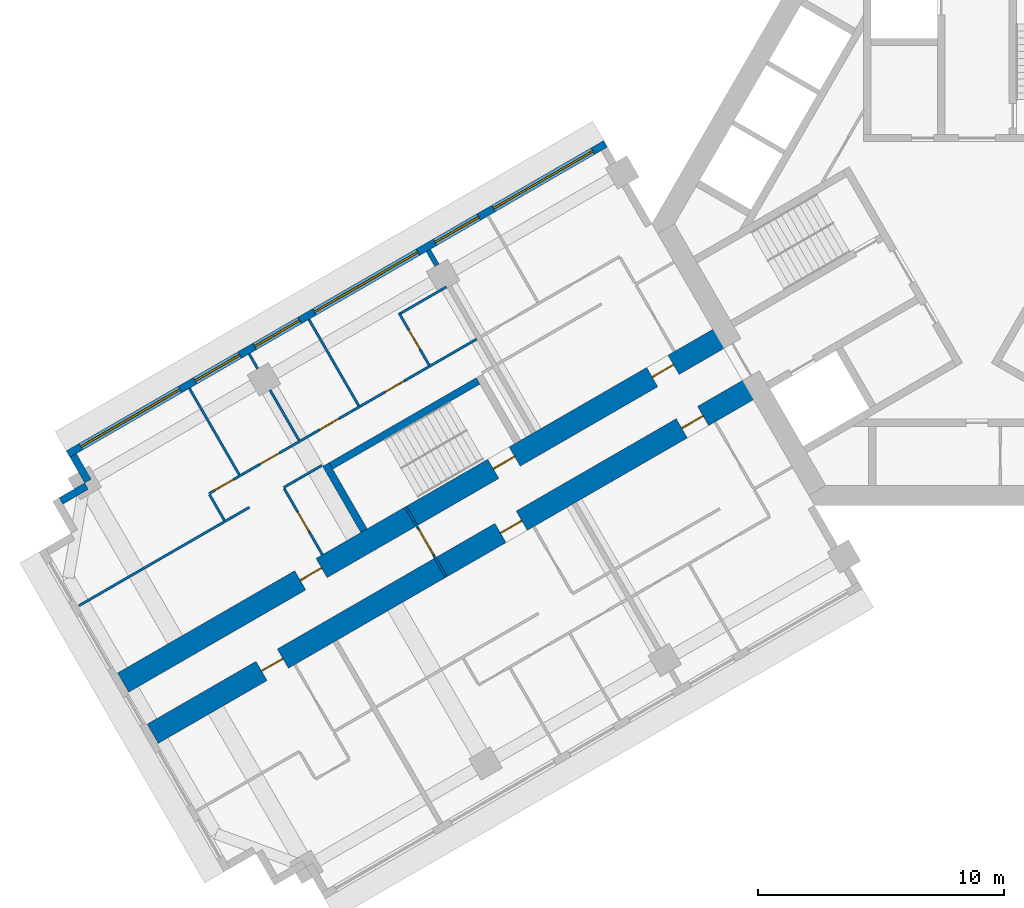
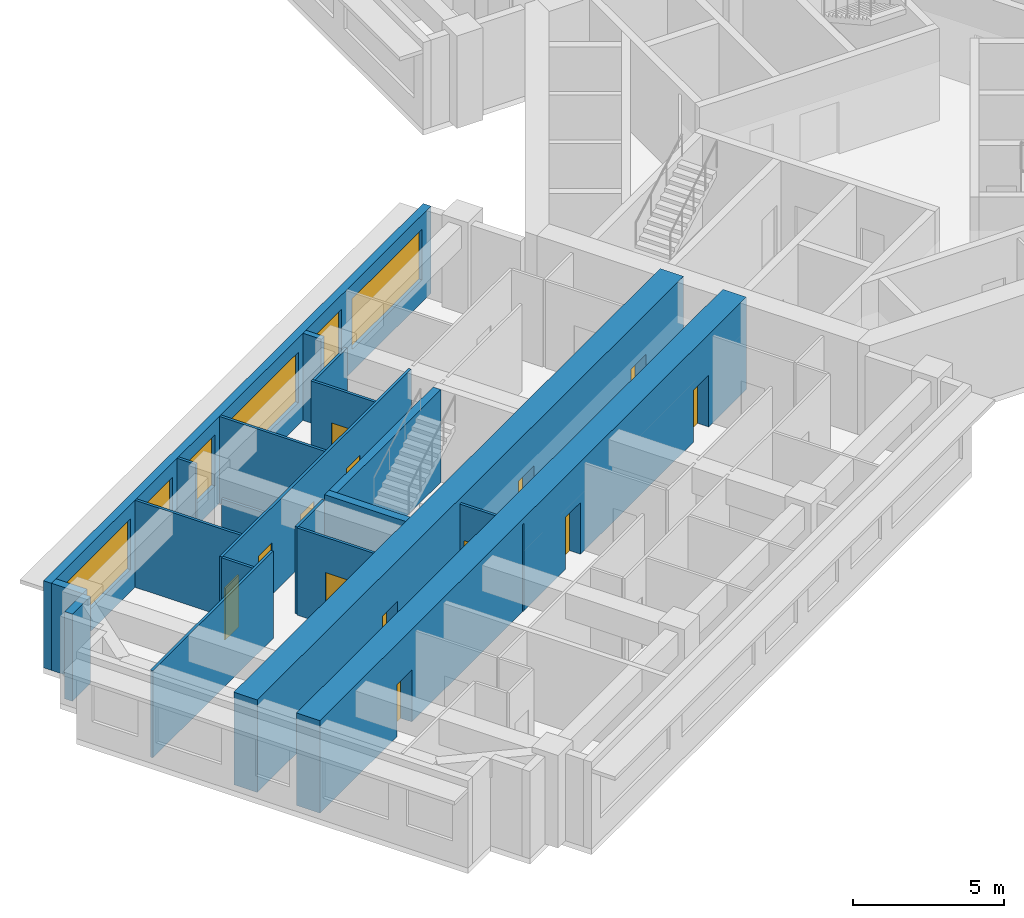
# One storey, part 3 of 14: 20 walls, 13 doors, 6 windows, 19 openings.
"""IFC4 building model written with IfcOpenShell, lengths in metres."""

from ifc_helpers import new_model, si_unit, direction, frame, frame_2d, origin, place, context, subcontext, project, spatial, rectangle, extrude, material, layer, layer_set, type_object, element, fill, save


model = new_model("IFC4")

# Units and contexts
model_context = context("Model", 3, precision=1e-05, world=origin(), true_north=direction((0.0, 1.0)))
body_context = subcontext(model_context, "Body", "Model", "MODEL_VIEW")
ifc_project = project(units=[si_unit("LENGTHUNIT", "METRE"), si_unit("AREAUNIT", "SQUARE_METRE"), si_unit("VOLUMEUNIT", "CUBIC_METRE"), si_unit("PLANEANGLEUNIT", "RADIAN"), si_unit("MASSUNIT", "GRAM", prefix="KILO")], contexts=[model_context])

# Site, building, storey
site_placement = place(None, origin())
site = spatial("IfcSite", under=ifc_project, at=site_placement, CompositionType="ELEMENT")
building_placement = place(site_placement, origin())
building = spatial("IfcBuilding", under=site, at=building_placement, Name="Impinga Residences", CompositionType="ELEMENT")
storey_placement = place(building_placement, frame((0.0, 0.0, 143.5)))
storey = spatial("IfcBuildingStorey", under=building, at=storey_placement, Name="L35", CompositionType="ELEMENT", Elevation=143.5)

# Wall, openings, doors
ifc_material_1 = material(Name="Concrete C60/75", Category="concrete")
ifc_layer_1 = layer(ifc_material_1, 0.89990234375)
ifc_layer_set_1 = layer_set([ifc_layer_1], Name="Concrete C60/75")
wall_type_1 = type_object("IfcWallType", Name="BW2 corridor buttress wall, L24 to L44 900", PredefinedType="SHEAR", material=ifc_layer_set_1)
wall_1_placement = place(storey_placement, frame((-8.95361328125, -6.554931640625, 0.0), z_axis=(0.0, 0.0, 1.0), x_axis=(-0.866023392092, -0.500003484338, 0.0)))
wall_1 = element("IfcWall", 1, at=wall_1_placement, inside=storey, type_object=wall_type_1, Name="Corridor wall BW2 WC L35", PredefinedType="SHEAR", context=body_context, shape_type="SweptSolid", body=[
    extrude(rectangle(XDim=28.300048828125, YDim=0.89990234375, at=frame_2d((14.14990234375, 0.0))), origin(), (0.0, 0.0, 1.0), 3.75),
])
opening_1_placement = place(wall_1_placement, frame((2.5, 0.0, 0.0)))
opening_1 = element("IfcOpeningElement", 2, at=opening_1_placement, cuts=wall_1, Name="Opening D1", PredefinedType="OPENING", context=body_context, shape_type="SweptSolid", body=[
    extrude(rectangle(XDim=1.0, YDim=2.10009765625, at=frame_2d((0.5, 1.050048828125))), frame((0.0, 0.4599609375, 0.0), z_axis=(0.0, -1.0, 0.0), x_axis=(1.0, 0.0, 0.0)), (0.0, 0.0, 1.0), 0.919921875),
])
opening_2_placement = place(wall_1_placement, frame((11.0, 0.0, 0.0)))
opening_2 = element("IfcOpeningElement", 3, at=opening_2_placement, cuts=wall_1, Name="Opening D1", PredefinedType="OPENING", context=body_context, shape_type="SweptSolid", body=[
    extrude(rectangle(XDim=1.0, YDim=2.10009765625, at=frame_2d((0.5, 1.050048828125))), frame((0.0, 0.4599609375, 0.0), z_axis=(0.0, -1.0, 0.0), x_axis=(1.0, 0.0, 0.0)), (0.0, 0.0, 1.0), 0.919921875),
])
opening_3_placement = place(wall_1_placement, frame((22.199951171875, 0.0, 0.0)))
opening_3 = element("IfcOpeningElement", 4, at=opening_3_placement, cuts=wall_1, Name="Opening D1", PredefinedType="OPENING", context=body_context, shape_type="SweptSolid", body=[
    extrude(rectangle(XDim=1.0, YDim=2.10009765625, at=frame_2d((0.5, 1.050048828125))), frame((0.0, 0.4599609375, 0.0), z_axis=(0.0, -1.0, 0.0), x_axis=(1.0, 0.0, 0.0)), (0.0, 0.0, 1.0), 0.919921875),
])
ifc_material_2 = material(Name="Timber door set", Category="wood")
door_type_1 = type_object("IfcDoorType", Name="D1 apartment entrance door 1000x2100", OperationType="SINGLE_SWING_LEFT", PredefinedType="DOOR", material=ifc_material_2)
door_1_placement = place(opening_1_placement, origin())
door_1 = element("IfcDoor", 5, at=door_1_placement, inside=storey, type_object=door_type_1, Name="Apartment L35-WA1 entrance", OperationType="SINGLE_SWING_LEFT", OverallHeight=2.10009765625, OverallWidth=1.0, PredefinedType="DOOR", context=body_context, shape_type="SweptSolid", body=[
    extrude(rectangle(XDim=1.0, YDim=2.10009765625, at=frame_2d((0.5, 1.050048828125))), frame((0.0, 0.02490234375, 0.0), z_axis=(0.0, -1.0, 0.0), x_axis=(1.0, 0.0, 0.0)), (0.0, 0.0, 1.0), 0.050048828125),
])
fill(opening_1, door_1)
door_2_placement = place(opening_2_placement, origin())
door_2 = element("IfcDoor", 6, at=door_2_placement, inside=storey, type_object=door_type_1, Name="Apartment L35-WA2 entrance", OperationType="SINGLE_SWING_LEFT", OverallHeight=2.10009765625, OverallWidth=1.0, PredefinedType="DOOR", context=body_context, shape_type="SweptSolid", body=[
    extrude(rectangle(XDim=1.0, YDim=2.10009765625, at=frame_2d((0.5, 1.050048828125))), frame((0.0, 0.02490234375, 0.0), z_axis=(0.0, -1.0, 0.0), x_axis=(1.0, 0.0, 0.0)), (0.0, 0.0, 1.0), 0.050048828125),
])
fill(opening_2, door_2)
door_3_placement = place(opening_3_placement, origin())
door_3 = element("IfcDoor", 7, at=door_3_placement, inside=storey, type_object=door_type_1, Name="Apartment L35-WA3 entrance", OperationType="SINGLE_SWING_RIGHT", OverallHeight=2.10009765625, OverallWidth=1.0, PredefinedType="DOOR", context=body_context, shape_type="SweptSolid", body=[
    extrude(rectangle(XDim=1.0, YDim=2.10009765625, at=frame_2d((0.5, 1.050048828125))), frame((0.0, 0.02490234375, 0.0), z_axis=(0.0, -1.0, 0.0), x_axis=(1.0, 0.0, 0.0)), (0.0, 0.0, 1.0), 0.050048828125),
])
fill(opening_3, door_3)

wall_2_placement = place(storey_placement, frame((-10.153564453125, -4.4765625, 0.0), z_axis=(0.0, 0.0, 1.0), x_axis=(-0.866027127636, -0.49999701419, 0.0)))
wall_2 = element("IfcWall", 8, at=wall_2_placement, inside=storey, type_object=wall_type_1, Name="Corridor wall BW2 WD L35", PredefinedType="SHEAR", context=body_context, shape_type="SweptSolid", body=[
    extrude(rectangle(XDim=28.300048828125, YDim=0.89990234375, at=frame_2d((14.14990234375, 0.0))), origin(), (0.0, 0.0, 1.0), 3.75),
])
opening_4_placement = place(wall_2_placement, frame((9.949951171875, 0.0, 0.0)))
opening_4 = element("IfcOpeningElement", 9, at=opening_4_placement, cuts=wall_2, Name="Opening D5", PredefinedType="OPENING", context=body_context, shape_type="SweptSolid", body=[
    extrude(rectangle(XDim=1.0, YDim=2.10009765625, at=frame_2d((0.5, 1.050048828125))), frame((0.0, 0.4599609375, 0.0), z_axis=(0.0, -1.0, 0.0), x_axis=(1.0, 0.0, 0.0)), (0.0, 0.0, 1.0), 0.919921875),
])
opening_5_placement = place(wall_2_placement, frame((2.5, 0.0, 0.0)))
opening_5 = element("IfcOpeningElement", 10, at=opening_5_placement, cuts=wall_2, Name="Opening D1", PredefinedType="OPENING", context=body_context, shape_type="SweptSolid", body=[
    extrude(rectangle(XDim=1.0, YDim=2.10009765625, at=frame_2d((0.5, 1.050048828125))), frame((0.0, 0.4599609375, 0.0), z_axis=(0.0, -1.0, 0.0), x_axis=(1.0, 0.0, 0.0)), (0.0, 0.0, 1.0), 0.919921875),
])
opening_6_placement = place(wall_2_placement, frame((19.0, 0.0, 0.0)))
opening_6 = element("IfcOpeningElement", 11, at=opening_6_placement, cuts=wall_2, Name="Opening D1", PredefinedType="OPENING", context=body_context, shape_type="SweptSolid", body=[
    extrude(rectangle(XDim=1.0, YDim=2.10009765625, at=frame_2d((0.5, 1.050048828125))), frame((0.0, 0.4599609375, 0.0), z_axis=(0.0, -1.0, 0.0), x_axis=(1.0, 0.0, 0.0)), (0.0, 0.0, 1.0), 0.919921875),
])
door_4_placement = place(opening_5_placement, origin())
door_4 = element("IfcDoor", 12, at=door_4_placement, inside=storey, type_object=door_type_1, Name="Apartment L35-WF1 entrance", OperationType="SINGLE_SWING_LEFT", OverallHeight=2.10009765625, OverallWidth=1.0, PredefinedType="DOOR", context=body_context, shape_type="SweptSolid", body=[
    extrude(rectangle(XDim=1.0, YDim=2.10009765625, at=frame_2d((0.5, 1.050048828125))), frame((0.0, 0.02490234375, 0.0), z_axis=(0.0, -1.0, 0.0), x_axis=(1.0, 0.0, 0.0)), (0.0, 0.0, 1.0), 0.050048828125),
])
fill(opening_5, door_4)
door_5_placement = place(opening_6_placement, origin())
door_5 = element("IfcDoor", 13, at=door_5_placement, inside=storey, type_object=door_type_1, Name="Apartment L35-WF2 entrance", OperationType="SINGLE_SWING_RIGHT", OverallHeight=2.10009765625, OverallWidth=1.0, PredefinedType="DOOR", context=body_context, shape_type="SweptSolid", body=[
    extrude(rectangle(XDim=1.0, YDim=2.10009765625, at=frame_2d((0.5, 1.050048828125))), frame((0.0, 0.02490234375, 0.0), z_axis=(0.0, -1.0, 0.0), x_axis=(1.0, 0.0, 0.0)), (0.0, 0.0, 1.0), 0.050048828125),
])
fill(opening_6, door_5)
door_type_2 = type_object("IfcDoorType", Name="D5 stair door 1000x2100", OperationType="SINGLE_SWING_LEFT", PredefinedType="DOOR", material=ifc_material_2)
door_6_placement = place(opening_4_placement, origin())
door_6 = element("IfcDoor", 14, at=door_6_placement, inside=storey, type_object=door_type_2, Name="Wing stair door W", OperationType="SINGLE_SWING_LEFT", OverallHeight=2.10009765625, OverallWidth=1.0, PredefinedType="DOOR", context=body_context, shape_type="SweptSolid", body=[
    extrude(rectangle(XDim=1.0, YDim=2.10009765625, at=frame_2d((0.5, 1.050048828125))), frame((0.0, 0.02490234375, 0.0), z_axis=(0.0, -1.0, 0.0), x_axis=(1.0, 0.0, 0.0)), (0.0, 0.0, 1.0), 0.050048828125),
])
fill(opening_4, door_6)

# Wall, opening, door
ifc_material_3 = material(Name="Concrete blockwork", Category="masonry")
ifc_layer_2 = layer(ifc_material_3, 0.10009765625)
ifc_layer_set_2 = layer_set([ifc_layer_2], Name="CP1 core room partition, blockwork 100")
wall_type_2 = type_object("IfcWallType", Name="CP1 core room partition, blockwork 100", PredefinedType="PARTITIONING", material=ifc_layer_set_2)
wall_3_placement = place(storey_placement, frame((-21.545654296875, -14.3447265625, 0.0), z_axis=(0.0, 0.0, 1.0), x_axis=(-0.50002983664, 0.866008176907, 0.0)))
wall_3 = element("IfcWall", 15, at=wall_3_placement, inside=storey, type_object=wall_type_2, Name="Core room partition, blockwork L35:W:PLB", PredefinedType="PARTITIONING", context=body_context, shape_type="SweptSolid", body=[
    extrude(rectangle(XDim=3.300048828125, YDim=0.10009765625, at=frame_2d((1.64990234375, 0.0))), origin(), (0.0, 0.0, 1.0), 3.530029296875),
])
opening_7_placement = place(wall_3_placement, frame((1.050048828125, 0.0, 0.0)))
opening_7 = element("IfcOpeningElement", 16, at=opening_7_placement, cuts=wall_3, Name="Opening D3", PredefinedType="OPENING", context=body_context, shape_type="SweptSolid", body=[
    extrude(rectangle(XDim=1.199951171875, YDim=2.10009765625, at=frame_2d((0.60009765625, 1.050048828125))), frame((0.0, 0.06005859375, 0.0), z_axis=(0.0, -1.0, 0.0), x_axis=(1.0, 0.0, 0.0)), (0.0, 0.0, 1.0), 0.1201171875),
])
door_type_3 = type_object("IfcDoorType", Name="D3 room door, leaf and a half 1200x2100", OperationType="DOUBLE_SWING_LEFT", PredefinedType="DOOR", material=ifc_material_2)
door_7_placement = place(opening_7_placement, origin())
door_7 = element("IfcDoor", 17, at=door_7_placement, inside=storey, type_object=door_type_3, Name="Private lobby door W", OperationType="DOUBLE_SWING_LEFT", OverallHeight=2.10009765625, OverallWidth=1.199951171875, PredefinedType="DOOR", context=body_context, shape_type="SweptSolid", body=[
    extrude(rectangle(XDim=1.199951171875, YDim=2.10009765625, at=frame_2d((0.60009765625, 1.050048828125))), frame((0.0, 0.02490234375, 0.0), z_axis=(0.0, -1.0, 0.0), x_axis=(1.0, 0.0, 0.0)), (0.0, 0.0, 1.0), 0.050048828125),
])
fill(opening_7, door_7)

# Walls
ifc_material_4 = material(Name="Terracotta rainscreen on blockwork", Category="masonry")
ifc_layer_3 = layer(ifc_material_4, 0.300048828125)
ifc_layer_set_3 = layer_set([ifc_layer_3], Name="EW1 external wall, terracotta rainscreen on blockwork 300")
wall_type_3 = type_object("IfcWallType", Name="EW1 external wall, terracotta rainscreen on blockwork 300", PredefinedType="SOLIDWALL", material=ifc_layer_set_3)
wall_4_placement = place(storey_placement, frame((-37.18798828125, -11.25146484375, 0.0), z_axis=(0.0, 0.0, 1.0), x_axis=(0.866059708757, 0.499940577336, 0.0)))
element("IfcWall", 18, at=wall_4_placement, inside=storey, type_object=wall_type_3, Name="External wall EW1 L35", PredefinedType="SOLIDWALL", context=body_context, shape_type="SweptSolid", body=[
    extrude(rectangle(XDim=1.195068359375, YDim=0.300048828125, at=frame_2d((0.59765625, 0.0))), origin(), (0.0, 0.0, 1.0), 3.530029296875),
])
wall_5_placement = place(storey_placement, frame((-36.093994140625, -10.446533203125, 0.0), z_axis=(0.0, 0.0, 1.0), x_axis=(-0.499880961361, 0.866094119867, 0.0)))
element("IfcWall", 19, at=wall_5_placement, inside=storey, type_object=wall_type_3, Name="External wall EW1 L35", PredefinedType="SOLIDWALL", context=body_context, shape_type="SweptSolid", body=[
    extrude(rectangle(XDim=1.199951171875, YDim=0.300048828125, at=frame_2d((0.60009765625, 0.0))), origin(), (0.0, 0.0, 1.0), 3.530029296875),
])

# Wall, openings, windows
wall_6_placement = place(storey_placement, frame((-36.89892578125, -9.352294921875, 0.0), z_axis=(0.0, 0.0, 1.0), x_axis=(0.86602925447, 0.499993330357, 0.0)))
wall_6 = element("IfcWall", 20, at=wall_6_placement, inside=storey, type_object=wall_type_3, Name="External wall EW1 L35", PredefinedType="SOLIDWALL", context=body_context, shape_type="SweptSolid", body=[
    extrude(rectangle(XDim=25.199951171875, YDim=0.300048828125, at=frame_2d((12.60009765625, 0.0))), origin(), (0.0, 0.0, 1.0), 3.530029296875),
])
opening_8_placement = place(wall_6_placement, frame((0.60009765625, 0.0, 0.89990234375)))
opening_8 = element("IfcOpeningElement", 21, at=opening_8_placement, cuts=wall_6, Name="Opening W10", PredefinedType="OPENING", context=body_context, shape_type="SweptSolid", body=[
    extrude(rectangle(XDim=4.64990234375, YDim=2.050048828125, at=frame_2d((2.324951171875, 1.02490234375))), frame((0.0, 0.159912109375, 0.0), z_axis=(0.0, -1.0, 0.0), x_axis=(1.0, 0.0, 0.0)), (0.0, 0.0, 1.0), 0.320068359375),
])
opening_9_placement = place(wall_6_placement, frame((5.949951171875, 0.0, 0.89990234375)))
opening_9 = element("IfcOpeningElement", 22, at=opening_9_placement, cuts=wall_6, Name="Opening W9", PredefinedType="OPENING", context=body_context, shape_type="SweptSolid", body=[
    extrude(rectangle(XDim=2.10009765625, YDim=2.050048828125, at=frame_2d((1.050048828125, 1.02490234375))), frame((0.0, 0.159912109375, 0.0), z_axis=(0.0, -1.0, 0.0), x_axis=(1.0, 0.0, 0.0)), (0.0, 0.0, 1.0), 0.320068359375),
])
opening_10_placement = place(wall_6_placement, frame((8.75, 0.0, 0.89990234375)))
opening_10 = element("IfcOpeningElement", 23, at=opening_10_placement, cuts=wall_6, Name="Opening W9", PredefinedType="OPENING", context=body_context, shape_type="SweptSolid", body=[
    extrude(rectangle(XDim=2.10009765625, YDim=2.050048828125, at=frame_2d((1.050048828125, 1.02490234375))), frame((0.0, 0.159912109375, 0.0), z_axis=(0.0, -1.0, 0.0), x_axis=(1.0, 0.0, 0.0)), (0.0, 0.0, 1.0), 0.320068359375),
])
opening_11_placement = place(wall_6_placement, frame((11.550048828125, 0.0, 0.89990234375)))
opening_11 = element("IfcOpeningElement", 24, at=opening_11_placement, cuts=wall_6, Name="Opening W6", PredefinedType="OPENING", context=body_context, shape_type="SweptSolid", body=[
    extrude(rectangle(XDim=4.85009765625, YDim=2.050048828125, at=frame_2d((2.425048828125, 1.02490234375))), frame((0.0, 0.159912109375, 0.0), z_axis=(0.0, -1.0, 0.0), x_axis=(1.0, 0.0, 0.0)), (0.0, 0.0, 1.0), 0.320068359375),
])
opening_12_placement = place(wall_6_placement, frame((17.199951171875, 0.0, 0.89990234375)))
opening_12 = element("IfcOpeningElement", 25, at=opening_12_placement, cuts=wall_6, Name="Opening W14", PredefinedType="OPENING", context=body_context, shape_type="SweptSolid", body=[
    extrude(rectangle(XDim=2.050048828125, YDim=2.050048828125, at=frame_2d((1.02490234375, 1.02490234375))), frame((0.0, 0.159912109375, 0.0), z_axis=(0.0, -1.0, 0.0), x_axis=(1.0, 0.0, 0.0)), (0.0, 0.0, 1.0), 0.320068359375),
])
opening_13_placement = place(wall_6_placement, frame((19.949951171875, 0.0, 0.89990234375)))
opening_13 = element("IfcOpeningElement", 26, at=opening_13_placement, cuts=wall_6, Name="Opening W10", PredefinedType="OPENING", context=body_context, shape_type="SweptSolid", body=[
    extrude(rectangle(XDim=4.64990234375, YDim=2.050048828125, at=frame_2d((2.324951171875, 1.02490234375))), frame((0.0, 0.159912109375, 0.0), z_axis=(0.0, -1.0, 0.0), x_axis=(1.0, 0.0, 0.0)), (0.0, 0.0, 1.0), 0.320068359375),
])
ifc_material_5 = material(Name="Aluminium window, clear double glazing", Category="aluminium")
window_type_1 = type_object("IfcWindowType", Name="W10 ribbon window 4650x2050", PartitioningType="SINGLE_PANEL", PredefinedType="WINDOW", material=ifc_material_5)
window_1_placement = place(opening_8_placement, origin())
window_1 = element("IfcWindow", 27, at=window_1_placement, inside=storey, type_object=window_type_1, Name="Window L35", OverallHeight=2.050048828125, OverallWidth=4.64990234375, PartitioningType="SINGLE_PANEL", PredefinedType="WINDOW", context=body_context, shape_type="SweptSolid", body=[
    extrude(rectangle(XDim=4.64990234375, YDim=2.050048828125, at=frame_2d((2.324951171875, 1.02490234375))), frame((0.0, 0.030029296875, 0.0), z_axis=(0.0, -1.0, 0.0), x_axis=(1.0, 0.0, 0.0)), (0.0, 0.0, 1.0), 0.06005859375),
])
fill(opening_8, window_1)
window_2_placement = place(opening_13_placement, origin())
window_2 = element("IfcWindow", 28, at=window_2_placement, inside=storey, type_object=window_type_1, Name="Window L35", OverallHeight=2.050048828125, OverallWidth=4.64990234375, PartitioningType="SINGLE_PANEL", PredefinedType="WINDOW", context=body_context, shape_type="SweptSolid", body=[
    extrude(rectangle(XDim=4.64990234375, YDim=2.050048828125, at=frame_2d((2.324951171875, 1.02490234375))), frame((0.0, 0.030029296875, 0.0), z_axis=(0.0, -1.0, 0.0), x_axis=(1.0, 0.0, 0.0)), (0.0, 0.0, 1.0), 0.06005859375),
])
fill(opening_13, window_2)
window_type_2 = type_object("IfcWindowType", Name="W14 ribbon window 2050x2050", PartitioningType="SINGLE_PANEL", PredefinedType="WINDOW", material=ifc_material_5)
window_3_placement = place(opening_12_placement, origin())
window_3 = element("IfcWindow", 29, at=window_3_placement, inside=storey, type_object=window_type_2, Name="Window L35", OverallHeight=2.050048828125, OverallWidth=2.050048828125, PartitioningType="SINGLE_PANEL", PredefinedType="WINDOW", context=body_context, shape_type="SweptSolid", body=[
    extrude(rectangle(XDim=2.050048828125, YDim=2.050048828125, at=frame_2d((1.02490234375, 1.02490234375))), frame((0.0, 0.030029296875, 0.0), z_axis=(0.0, -1.0, 0.0), x_axis=(1.0, 0.0, 0.0)), (0.0, 0.0, 1.0), 0.06005859375),
])
fill(opening_12, window_3)
window_type_3 = type_object("IfcWindowType", Name="W6 ribbon window 4850x2050", PartitioningType="SINGLE_PANEL", PredefinedType="WINDOW", material=ifc_material_5)
window_4_placement = place(opening_11_placement, origin())
window_4 = element("IfcWindow", 30, at=window_4_placement, inside=storey, type_object=window_type_3, Name="Window L35", OverallHeight=2.050048828125, OverallWidth=4.85009765625, PartitioningType="SINGLE_PANEL", PredefinedType="WINDOW", context=body_context, shape_type="SweptSolid", body=[
    extrude(rectangle(XDim=4.85009765625, YDim=2.050048828125, at=frame_2d((2.425048828125, 1.02490234375))), frame((0.0, 0.030029296875, 0.0), z_axis=(0.0, -1.0, 0.0), x_axis=(1.0, 0.0, 0.0)), (0.0, 0.0, 1.0), 0.06005859375),
])
fill(opening_11, window_4)
window_type_4 = type_object("IfcWindowType", Name="W9 ribbon window 2100x2050", PartitioningType="SINGLE_PANEL", PredefinedType="WINDOW", material=ifc_material_5)
window_5_placement = place(opening_9_placement, origin())
window_5 = element("IfcWindow", 31, at=window_5_placement, inside=storey, type_object=window_type_4, Name="Window L35", OverallHeight=2.050048828125, OverallWidth=2.10009765625, PartitioningType="SINGLE_PANEL", PredefinedType="WINDOW", context=body_context, shape_type="SweptSolid", body=[
    extrude(rectangle(XDim=2.10009765625, YDim=2.050048828125, at=frame_2d((1.050048828125, 1.02490234375))), frame((0.0, 0.030029296875, 0.0), z_axis=(0.0, -1.0, 0.0), x_axis=(1.0, 0.0, 0.0)), (0.0, 0.0, 1.0), 0.06005859375),
])
fill(opening_9, window_5)
window_6_placement = place(opening_10_placement, origin())
window_6 = element("IfcWindow", 32, at=window_6_placement, inside=storey, type_object=window_type_4, Name="Window L35", OverallHeight=2.050048828125, OverallWidth=2.10009765625, PartitioningType="SINGLE_PANEL", PredefinedType="WINDOW", context=body_context, shape_type="SweptSolid", body=[
    extrude(rectangle(XDim=2.10009765625, YDim=2.050048828125, at=frame_2d((1.050048828125, 1.02490234375))), frame((0.0, 0.030029296875, 0.0), z_axis=(0.0, -1.0, 0.0), x_axis=(1.0, 0.0, 0.0)), (0.0, 0.0, 1.0), 0.06005859375),
])
fill(opening_10, window_6)

# Walls
ifc_material_6 = material(Name="Gypsum board on steel studs", Category="steel")
ifc_layer_4 = layer(ifc_material_6, 0.10009765625)
ifc_layer_set_4 = layer_set([ifc_layer_4], Name="Gypsum board on steel studs")
wall_type_4 = type_object("IfcWallType", Name="IP1 partition 100", PredefinedType="PARTITIONING", material=ifc_layer_set_4)
wall_7_placement = place(storey_placement, frame((-26.58935546875, -9.808837890625, 0.0), z_axis=(0.0, 0.0, 1.0), x_axis=(-0.866047807691, -0.499961193289, 0.0)))
element("IfcWall", 33, at=wall_7_placement, inside=storey, type_object=wall_type_4, Name="Partition L35-WF2:DIV1", PredefinedType="PARTITIONING", context=body_context, shape_type="SweptSolid", body=[
    extrude(rectangle(XDim=1.800048828125, YDim=0.10009765625, at=frame_2d((0.89990234375, 0.0))), origin(), (0.0, 0.0, 1.0), 3.530029296875),
])
wall_8_placement = place(storey_placement, frame((-29.533935546875, -11.5087890625, 0.0), z_axis=(0.0, 0.0, 1.0), x_axis=(-0.866026010844, -0.49999894854, 0.0)))
element("IfcWall", 34, at=wall_8_placement, inside=storey, type_object=wall_type_4, Name="Partition L35-WF2:DIV2", PredefinedType="PARTITIONING", context=body_context, shape_type="SweptSolid", body=[
    extrude(rectangle(XDim=8.0, YDim=0.10009765625, at=frame_2d((4.0, 0.0))), origin(), (0.0, 0.0, 1.0), 3.530029296875),
])

# Wall, openings, doors
wall_9_placement = place(storey_placement, frame((-20.311279296875, -4.68310546875, 0.0), z_axis=(0.0, 0.0, 1.0), x_axis=(-0.86602944105, -0.499993007185, 0.0)))
wall_9 = element("IfcWall", 35, at=wall_9_placement, inside=storey, type_object=wall_type_4, Name="Partition L35-WF2:STRIP", PredefinedType="PARTITIONING", context=body_context, shape_type="SweptSolid", body=[
    extrude(rectangle(XDim=12.550048828125, YDim=0.10009765625, at=frame_2d((6.27490234375, 0.0))), origin(), (0.0, 0.0, 1.0), 3.530029296875),
])
opening_14_placement = place(wall_9_placement, frame((3.39990234375, 0.0, 0.0)))
opening_14 = element("IfcOpeningElement", 36, at=opening_14_placement, cuts=wall_9, Name="Opening D2", PredefinedType="OPENING", context=body_context, shape_type="SweptSolid", body=[
    extrude(rectangle(XDim=0.89990234375, YDim=2.10009765625, at=frame_2d((0.449951171875, 1.050048828125))), frame((0.0, 0.06005859375, 0.0), z_axis=(0.0, -1.0, 0.0), x_axis=(1.0, 0.0, 0.0)), (0.0, 0.0, 1.0), 0.1201171875),
])
opening_15_placement = place(wall_9_placement, frame((6.449951171875, 0.0, 0.0)))
opening_15 = element("IfcOpeningElement", 37, at=opening_15_placement, cuts=wall_9, Name="Opening D2", PredefinedType="OPENING", context=body_context, shape_type="SweptSolid", body=[
    extrude(rectangle(XDim=0.89990234375, YDim=2.10009765625, at=frame_2d((0.449951171875, 1.050048828125))), frame((0.0, 0.06005859375, 0.0), z_axis=(0.0, -1.0, 0.0), x_axis=(1.0, 0.0, 0.0)), (0.0, 0.0, 1.0), 0.1201171875),
])
opening_16_placement = place(wall_9_placement, frame((9.25, 0.0, 0.0)))
opening_16 = element("IfcOpeningElement", 38, at=opening_16_placement, cuts=wall_9, Name="Opening D2", PredefinedType="OPENING", context=body_context, shape_type="SweptSolid", body=[
    extrude(rectangle(XDim=0.89990234375, YDim=2.10009765625, at=frame_2d((0.449951171875, 1.050048828125))), frame((0.0, 0.06005859375, 0.0), z_axis=(0.0, -1.0, 0.0), x_axis=(1.0, 0.0, 0.0)), (0.0, 0.0, 1.0), 0.1201171875),
])
opening_17_placement = place(wall_9_placement, frame((11.39990234375, 0.0, 0.0)))
opening_17 = element("IfcOpeningElement", 39, at=opening_17_placement, cuts=wall_9, Name="Opening D2", PredefinedType="OPENING", context=body_context, shape_type="SweptSolid", body=[
    extrude(rectangle(XDim=0.89990234375, YDim=2.10009765625, at=frame_2d((0.449951171875, 1.050048828125))), frame((0.0, 0.06005859375, 0.0), z_axis=(0.0, -1.0, 0.0), x_axis=(1.0, 0.0, 0.0)), (0.0, 0.0, 1.0), 0.1201171875),
])
door_type_4 = type_object("IfcDoorType", Name="D2 internal door 900x2100", OperationType="SINGLE_SWING_LEFT", PredefinedType="DOOR", material=ifc_material_2)
door_8_placement = place(opening_14_placement, origin())
door_8 = element("IfcDoor", 40, at=door_8_placement, inside=storey, type_object=door_type_4, Name="Apartment L35-WF2 room door", OperationType="SINGLE_SWING_LEFT", OverallHeight=2.10009765625, OverallWidth=0.89990234375, PredefinedType="DOOR", context=body_context, shape_type="SweptSolid", body=[
    extrude(rectangle(XDim=0.89990234375, YDim=2.10009765625, at=frame_2d((0.449951171875, 1.050048828125))), frame((0.0, 0.02490234375, 0.0), z_axis=(0.0, -1.0, 0.0), x_axis=(1.0, 0.0, 0.0)), (0.0, 0.0, 1.0), 0.050048828125),
])
fill(opening_14, door_8)
door_9_placement = place(opening_15_placement, origin())
door_9 = element("IfcDoor", 41, at=door_9_placement, inside=storey, type_object=door_type_4, Name="Apartment L35-WF2 room door", OperationType="SINGLE_SWING_RIGHT", OverallHeight=2.10009765625, OverallWidth=0.89990234375, PredefinedType="DOOR", context=body_context, shape_type="SweptSolid", body=[
    extrude(rectangle(XDim=0.89990234375, YDim=2.10009765625, at=frame_2d((0.449951171875, 1.050048828125))), frame((0.0, 0.02490234375, 0.0), z_axis=(0.0, -1.0, 0.0), x_axis=(1.0, 0.0, 0.0)), (0.0, 0.0, 1.0), 0.050048828125),
])
fill(opening_15, door_9)
door_10_placement = place(opening_16_placement, origin())
door_10 = element("IfcDoor", 42, at=door_10_placement, inside=storey, type_object=door_type_4, Name="Apartment L35-WF2 room door", OperationType="SINGLE_SWING_RIGHT", OverallHeight=2.10009765625, OverallWidth=0.89990234375, PredefinedType="DOOR", context=body_context, shape_type="SweptSolid", body=[
    extrude(rectangle(XDim=0.89990234375, YDim=2.10009765625, at=frame_2d((0.449951171875, 1.050048828125))), frame((0.0, 0.02490234375, 0.0), z_axis=(0.0, -1.0, 0.0), x_axis=(1.0, 0.0, 0.0)), (0.0, 0.0, 1.0), 0.050048828125),
])
fill(opening_16, door_10)
door_11_placement = place(opening_17_placement, origin())
door_11 = element("IfcDoor", 43, at=door_11_placement, inside=storey, type_object=door_type_4, Name="Apartment L35-WF2 room door", OperationType="SINGLE_SWING_RIGHT", OverallHeight=2.10009765625, OverallWidth=0.89990234375, PredefinedType="DOOR", context=body_context, shape_type="SweptSolid", body=[
    extrude(rectangle(XDim=0.89990234375, YDim=2.10009765625, at=frame_2d((0.449951171875, 1.050048828125))), frame((0.0, 0.02490234375, 0.0), z_axis=(0.0, -1.0, 0.0), x_axis=(1.0, 0.0, 0.0)), (0.0, 0.0, 1.0), 0.050048828125),
])
fill(opening_17, door_11)

# Wall
wall_10_placement = place(storey_placement, frame((-30.554931640625, -12.04052734375, 0.0), z_axis=(0.0, 0.0, 1.0), x_axis=(-0.499880961361, 0.866094119867, 0.0)))
element("IfcWall", 44, at=wall_10_placement, inside=storey, type_object=wall_type_4, Name="Partition L35-WF2:SE1", PredefinedType="PARTITIONING", context=body_context, shape_type="SweptSolid", body=[
    extrude(rectangle(XDim=1.199951171875, YDim=0.10009765625, at=frame_2d((0.60009765625, 0.0))), origin(), (0.0, 0.0, 1.0), 3.530029296875),
])

# Wall, opening, door
wall_11_placement = place(storey_placement, frame((-26.5732421875, -13.436767578125, 0.0), z_axis=(0.0, 0.0, 1.0), x_axis=(-0.500026960575, 0.86600983753, 0.0)))
wall_11 = element("IfcWall", 45, at=wall_11_placement, inside=storey, type_object=wall_type_4, Name="Partition L35-WF2:IB1", PredefinedType="PARTITIONING", context=body_context, shape_type="SweptSolid", body=[
    extrude(rectangle(XDim=3.099853515625, YDim=0.10009765625, at=frame_2d((1.5498046875, 0.0))), origin(), (0.0, 0.0, 1.0), 3.530029296875),
])
opening_18_placement = place(wall_11_placement, frame((1.10009765625, 0.0, 0.0)))
opening_18 = element("IfcOpeningElement", 46, at=opening_18_placement, cuts=wall_11, Name="Opening D2", PredefinedType="OPENING", context=body_context, shape_type="SweptSolid", body=[
    extrude(rectangle(XDim=0.89990234375, YDim=2.10009765625, at=frame_2d((0.449951171875, 1.050048828125))), frame((0.0, 0.06005859375, 0.0), z_axis=(0.0, -1.0, 0.0), x_axis=(1.0, 0.0, 0.0)), (0.0, 0.0, 1.0), 0.1201171875),
])
door_12_placement = place(opening_18_placement, origin())
door_12 = element("IfcDoor", 47, at=door_12_placement, inside=storey, type_object=door_type_4, Name="Apartment L35-WF2 bathroom door", OperationType="SINGLE_SWING_LEFT", OverallHeight=2.10009765625, OverallWidth=0.89990234375, PredefinedType="DOOR", context=body_context, shape_type="SweptSolid", body=[
    extrude(rectangle(XDim=0.89990234375, YDim=2.10009765625, at=frame_2d((0.449951171875, 1.050048828125))), frame((0.0, 0.02490234375, 0.0), z_axis=(0.0, -1.0, 0.0), x_axis=(1.0, 0.0, 0.0)), (0.0, 0.0, 1.0), 0.050048828125),
])
fill(opening_18, door_12)

# Walls
wall_12_placement = place(storey_placement, frame((-25.099365234375, -7.3896484375, 0.0), z_axis=(0.0, 0.0, 1.0), x_axis=(-0.499990325971, 0.866030989016, 0.0)))
element("IfcWall", 48, at=wall_12_placement, inside=storey, type_object=wall_type_4, Name="Partition L35-WF2:OB1", PredefinedType="PARTITIONING", context=body_context, shape_type="SweptSolid", body=[
    extrude(rectangle(XDim=4.0498046875, YDim=0.10009765625, at=frame_2d((2.02490234375, 0.0))), origin(), (0.0, 0.0, 1.0), 3.530029296875),
])
wall_13_placement = place(storey_placement, frame((-27.524169921875, -8.789794921875, 0.0), z_axis=(0.0, 0.0, 1.0), x_axis=(-0.500016218704, 0.866016039709, 0.0)))
element("IfcWall", 49, at=wall_13_placement, inside=storey, type_object=wall_type_4, Name="Partition L35-WF2:OB2", PredefinedType="PARTITIONING", context=body_context, shape_type="SweptSolid", body=[
    extrude(rectangle(XDim=2.35009765625, YDim=0.10009765625, at=frame_2d((1.175048828125, 0.0))), origin(), (0.0, 0.0, 1.0), 2.47998046875),
])
wall_14_placement = place(storey_placement, frame((-29.19921875, -5.888427734375, 0.0), z_axis=(0.0, 0.0, 1.0), x_axis=(-0.500114896893, 0.865959057869, 0.0)))
element("IfcWall", 50, at=wall_14_placement, inside=storey, type_object=wall_type_4, Name="Partition L35-WF2:OB2b", PredefinedType="PARTITIONING", context=body_context, shape_type="SweptSolid", body=[
    extrude(rectangle(XDim=0.699951171875, YDim=0.10009765625, at=frame_2d((0.35009765625, 0.0))), origin(), (0.0, 0.0, 1.0), 3.530029296875),
])
wall_15_placement = place(storey_placement, frame((-29.94921875, -10.189697265625, 0.0), z_axis=(0.0, 0.0, 1.0), x_axis=(-0.499990325971, 0.866030989016, 0.0)))
element("IfcWall", 51, at=wall_15_placement, inside=storey, type_object=wall_type_4, Name="Partition L35-WF2:OB3", PredefinedType="PARTITIONING", context=body_context, shape_type="SweptSolid", body=[
    extrude(rectangle(XDim=4.0498046875, YDim=0.10009765625, at=frame_2d((2.02490234375, 0.0))), origin(), (0.0, 0.0, 1.0), 3.530029296875),
])

# Wall, opening, door
wall_16_placement = place(storey_placement, frame((-22.241455078125, -5.73974609375, 0.0), z_axis=(0.0, 0.0, 1.0), x_axis=(-0.500018594424, 0.866014668023, 0.0)))
wall_16 = element("IfcWall", 52, at=wall_16_placement, inside=storey, type_object=wall_type_4, Name="Partition L35-WF2:EN1", PredefinedType="PARTITIONING", context=body_context, shape_type="SweptSolid", body=[
    extrude(rectangle(XDim=2.4501953125, YDim=0.10009765625, at=frame_2d((1.22509765625, 0.0))), origin(), (0.0, 0.0, 1.0), 3.530029296875),
])
opening_19_placement = place(wall_16_placement, frame((0.75, 0.0, 0.0)))
opening_19 = element("IfcOpeningElement", 53, at=opening_19_placement, cuts=wall_16, Name="Opening D2", PredefinedType="OPENING", context=body_context, shape_type="SweptSolid", body=[
    extrude(rectangle(XDim=0.89990234375, YDim=2.10009765625, at=frame_2d((0.449951171875, 1.050048828125))), frame((0.0, 0.06005859375, 0.0), z_axis=(0.0, -1.0, 0.0), x_axis=(1.0, 0.0, 0.0)), (0.0, 0.0, 1.0), 0.1201171875),
])
door_13_placement = place(opening_19_placement, origin())
door_13 = element("IfcDoor", 54, at=door_13_placement, inside=storey, type_object=door_type_4, Name="Apartment L35-WF2 en-suite door", OperationType="SINGLE_SWING_LEFT", OverallHeight=2.10009765625, OverallWidth=0.89990234375, PredefinedType="DOOR", context=body_context, shape_type="SweptSolid", body=[
    extrude(rectangle(XDim=0.89990234375, YDim=2.10009765625, at=frame_2d((0.449951171875, 1.050048828125))), frame((0.0, 0.02490234375, 0.0), z_axis=(0.0, -1.0, 0.0), x_axis=(1.0, 0.0, 0.0)), (0.0, 0.0, 1.0), 0.050048828125),
])
fill(opening_19, door_13)

# Walls
wall_17_placement = place(storey_placement, frame((-21.5361328125, -2.561279296875, 0.0), z_axis=(0.0, 0.0, 1.0), x_axis=(-0.866047553582, -0.499961633463, 0.0)))
element("IfcWall", 55, at=wall_17_placement, inside=storey, type_object=wall_type_4, Name="Partition L35-WF2:EN2", PredefinedType="PARTITIONING", context=body_context, shape_type="SweptSolid", body=[
    extrude(rectangle(XDim=2.150146484375, YDim=0.10009765625, at=frame_2d((1.0751953125, 0.0))), origin(), (0.0, 0.0, 1.0), 3.530029296875),
])
ifc_layer_5 = layer(ifc_material_3, 0.199951171875)
ifc_layer_set_5 = layer_set([ifc_layer_5], Name="PW1 party wall between apartments 200")
wall_type_5 = type_object("IfcWallType", Name="PW1 party wall between apartments 200", PredefinedType="SOLIDWALL", material=ifc_layer_set_5)
wall_18_placement = place(storey_placement, frame((-21.924560546875, -1.6884765625, 0.0), z_axis=(0.0, 0.0, 1.0), x_axis=(-0.500114896893, 0.865959057869, 0.0)))
element("IfcWall", 56, at=wall_18_placement, inside=storey, type_object=wall_type_5, Name="Party wall between apartments L35-WF1:PARTYb", PredefinedType="SOLIDWALL", context=body_context, shape_type="SweptSolid", body=[
    extrude(rectangle(XDim=0.699951171875, YDim=0.199951171875, at=frame_2d((0.35009765625, 0.0))), origin(), (0.0, 0.0, 1.0), 3.530029296875),
])
ifc_layer_6 = layer(ifc_material_1, 0.300048828125)
ifc_layer_set_6 = layer_set([ifc_layer_6], Name="Concrete C60/75")
wall_type_6 = type_object("IfcWallType", Name="SE1 wing stair enclosure wall 300", PredefinedType="SOLIDWALL", material=ifc_layer_set_6)
wall_19_placement = place(storey_placement, frame((-24.884521484375, -12.4619140625, 0.0), z_axis=(0.0, 0.0, 1.0), x_axis=(-0.49999285859, 0.86602952684, 0.0)))
element("IfcWall", 57, at=wall_19_placement, inside=storey, type_object=wall_type_6, Name="Stair enclosure wall SE1 W END1 L35", PredefinedType="SOLIDWALL", context=body_context, shape_type="SweptSolid", body=[
    extrude(rectangle(XDim=3.10009765625, YDim=0.300048828125, at=frame_2d((1.550048828125, 0.0))), origin(), (0.0, 0.0, 1.0), 3.75),
])
wall_20_placement = place(storey_placement, frame((-20.254150390625, -6.382080078125, 0.0), z_axis=(0.0, 0.0, 1.0), x_axis=(-0.866020008033, -0.500009345598, 0.0)))
element("IfcWall", 58, at=wall_20_placement, inside=storey, type_object=wall_type_6, Name="Stair enclosure wall SE1 W OUT L35", PredefinedType="SOLIDWALL", context=body_context, shape_type="SweptSolid", body=[
    extrude(rectangle(XDim=6.899658203125, YDim=0.300048828125, at=frame_2d((3.44970703125, 0.0))), origin(), (0.0, 0.0, 1.0), 3.75),
])

save(model, "model.ifc")
